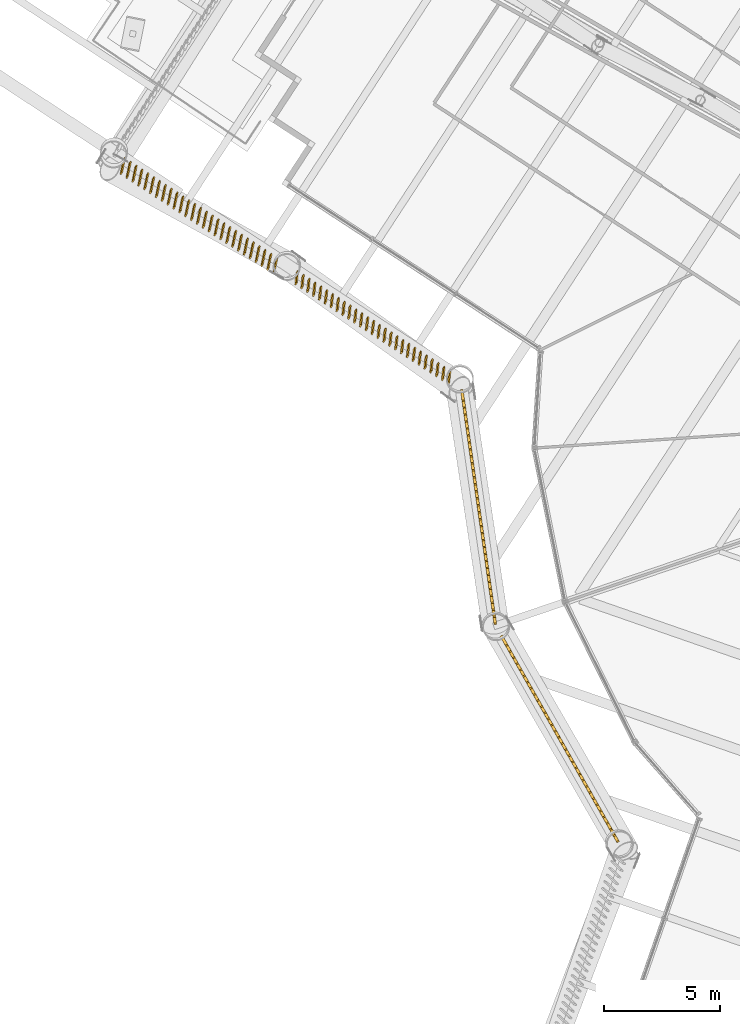
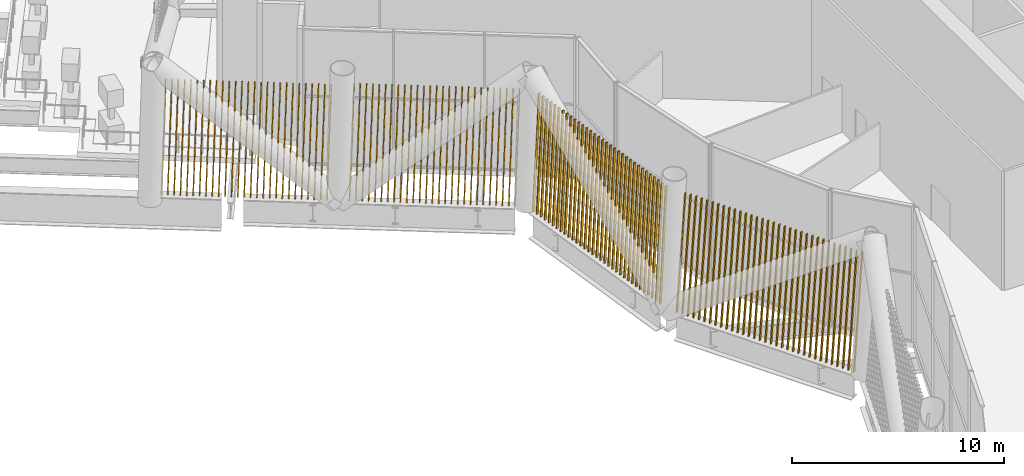
# One storey, part 56 of 63: 4 shading devices.
"""IFC4 building model written with IfcOpenShell, lengths in metres."""

import ifcopenshell
import ifcopenshell.guid

model = None  # the IFC model being written
_history = None  # IfcOwnerHistory: only IFC2X3 demands one
_inside = {}  # id of a spatial element -> (the spatial element, [elements in it])
_under = {}  # id of a project, library or spatial element -> (it, [spatial elements below it])
_declared = {}  # id of a project -> (the project, [libraries it declares])
_typed = {}  # id of a type object -> (the type object, [elements of that type])
_made_of = {}  # id of a material, layer set ... -> (it, [elements and type objects made of it])


def new_model(schema):
    """Start an empty IFC model of exactly this schema.

    Asked for "IFC4X3", IfcOpenShell would pick the latest addendum, in which some entities
    have other attributes; the version numbers below select the first issue.
    IFC2X3 requires an IfcOwnerHistory on every rooted entity: one is made here for all.
    """
    global model, _history
    if schema == "IFC4X3":
        model = ifcopenshell.file(schema_version=(4, 3, 0, 0))
    else:
        model = ifcopenshell.file(schema=schema)
    _inside.clear()
    _under.clear()
    _declared.clear()
    _typed.clear()
    _made_of.clear()
    _history = None
    if model.schema == "IFC2X3":
        org = make("IfcOrganization", Name="unknown")
        user = make(
            "IfcPersonAndOrganization",
            ThePerson=make("IfcPerson", FamilyName="unknown"),
            TheOrganization=org,
        )
        app = make(
            "IfcApplication",
            ApplicationDeveloper=org,
            Version="unknown",
            ApplicationFullName="unknown",
            ApplicationIdentifier="unknown",
        )
        _history = make(
            "IfcOwnerHistory",
            OwningUser=user,
            OwningApplication=app,
            ChangeAction="ADDED",
            CreationDate=0,
        )
    return model


def make(cls, **values):
    """One entity of the class cls with the attributes given. An attribute that is None is left unset."""
    return model.create_entity(
        cls, **{name: value for name, value in values.items() if value is not None}
    )


def rooted(cls, **values):
    """An entity with a GlobalId (a new one), such as an element, a storey or a relation."""
    return make(cls, GlobalId=ifcopenshell.guid.new(), OwnerHistory=_history, **values)


def si_unit(unit_type, name, prefix=None):
    """IfcSIUnit, for example si_unit("LENGTHUNIT", "METRE", prefix="MILLI")."""
    return make("IfcSIUnit", UnitType=unit_type, Prefix=prefix, Name=name)


def assignment(units):
    """IfcUnitAssignment: the units of a project."""
    return None if units is None else make("IfcUnitAssignment", Units=units)


def point(xyz):
    """IfcCartesianPoint."""
    return None if xyz is None else make("IfcCartesianPoint", Coordinates=xyz)


def direction(xyz):
    """IfcDirection."""
    return None if xyz is None else make("IfcDirection", DirectionRatios=xyz)


def frame(location, z_axis=None, x_axis=None):
    """IfcAxis2Placement3D, a coordinate frame: its origin and axes. An axis left out is left unset."""
    return make(
        "IfcAxis2Placement3D",
        Location=point(location),
        Axis=direction(z_axis),
        RefDirection=direction(x_axis),
    )


def frame_2d(location, x_axis=None):
    """IfcAxis2Placement2D, a coordinate frame in the plane: its origin and x axis."""
    return make(
        "IfcAxis2Placement2D", Location=point(location), RefDirection=direction(x_axis)
    )


def origin():
    """The frame at (0, 0, 0) with its axes left unset."""
    return frame((0.0, 0.0, 0.0))


def place(relative_to, where):
    """IfcLocalPlacement: puts the frame where relative to a parent placement (None: the world)."""
    return make(
        "IfcLocalPlacement", PlacementRelTo=relative_to, RelativePlacement=where
    )


def context(
    kind, dimensions, precision=None, world=None, true_north=None, identifier=None
):
    """IfcGeometricRepresentationContext, for example the 3D "Model" context."""
    return make(
        "IfcGeometricRepresentationContext",
        ContextIdentifier=identifier,
        ContextType=kind,
        CoordinateSpaceDimension=dimensions,
        Precision=precision,
        WorldCoordinateSystem=world,
        TrueNorth=true_north,
    )


def subcontext(parent, identifier, kind, view, scale=None):
    """IfcGeometricRepresentationSubContext, for example "Body" below "Model"."""
    return make(
        "IfcGeometricRepresentationSubContext",
        ContextIdentifier=identifier,
        ContextType=kind,
        ParentContext=parent,
        TargetScale=scale,
        TargetView=view,
    )


def project(units=None, contexts=None):
    """IfcProject with its units and contexts."""
    return rooted(
        "IfcProject",
        Name="project",
        RepresentationContexts=contexts,
        UnitsInContext=assignment(units),
    )


def spatial(cls, under=None, at=None, **own):
    """A site, building, storey or space (cls), placed at a placement, below another one or the project."""
    s = rooted(cls, ObjectPlacement=at, **own)
    if under is not None:
        _under.setdefault(under.id(), (under, []))[1].append(s)
    return s


def profile(cls, at=None, kind="AREA", **sizes):
    """A parametric profile (cls). Its sizes go by their IFC names, for example OverallWidth=200.0."""
    return make(cls, ProfileType=kind, Position=at, **sizes)


def rectangle(**sizes):
    """IfcRectangleProfileDef."""
    return profile("IfcRectangleProfileDef", **sizes)


def composite_profile(profiles, kind="AREA"):
    """IfcCompositeProfileDef: several profiles as one."""
    return make("IfcCompositeProfileDef", ProfileType=kind, Profiles=profiles)


def extrude(swept, where, along, depth):
    """IfcExtrudedAreaSolid: the profile swept, set in the frame where, extruded along a direction by depth."""
    return make(
        "IfcExtrudedAreaSolid",
        SweptArea=swept,
        Position=where,
        ExtrudedDirection=direction(along),
        Depth=depth,
    )


def shape(context_of_items, identifier, shape_type, items):
    """IfcShapeRepresentation: the items that make up one representation, for example the "Body"."""
    return make(
        "IfcShapeRepresentation",
        ContextOfItems=context_of_items,
        RepresentationIdentifier=identifier,
        RepresentationType=shape_type,
        Items=items,
    )


def material(Name=None, Category=None):
    """IfcMaterial."""
    return make("IfcMaterial", Name=Name, Category=Category)


def made_of(thing, what):
    """Note that an element or type object is made of a material, layer set ...; save() writes the relation."""
    if what is not None:
        _made_of.setdefault(what.id(), (what, []))[1].append(thing)
    return thing


def type_object(cls, material=None, **own):
    """A type object (cls), such as IfcWallType, which elements share."""
    return made_of(rooted(cls, **own), material)


def element(
    cls,
    number,
    at=None,
    inside=None,
    cuts=None,
    type_object=None,
    material=None,
    context=None,
    identifier="Body",
    shape_type=None,
    held_by="IfcProductDefinitionShape",
    body=None,
    shapes=None,
    **own,
):
    """One element of the class cls, such as IfcWall. Its Tag is "e" and its number.

    at: its placement. inside: the storey or other place that contains it. cuts: it is an
    opening in that element (IfcRelVoidsElement). A single representation is given by context,
    identifier, shape_type and body (its items); several are given by shapes. held_by: the class
    of the entity that holds the representations. save() writes the other relations.
    """
    e = rooted(cls, Tag="e%d" % number, ObjectPlacement=at, **own)
    if body is not None:
        shapes = [shape(context, identifier, shape_type, body)]
    if shapes is not None:
        e.Representation = make(held_by, Representations=shapes)
    if inside is not None:
        _inside.setdefault(inside.id(), (inside, []))[1].append(e)
    if cuts is not None:
        rooted(
            "IfcRelVoidsElement", RelatingBuildingElement=cuts, RelatedOpeningElement=e
        )
    if type_object is not None:
        _typed.setdefault(type_object.id(), (type_object, []))[1].append(e)
    return made_of(e, material)


def aggregate(whole, parts):
    """IfcRelAggregates: a whole, such as a stair, and the parts it consists of."""
    return rooted("IfcRelAggregates", RelatingObject=whole, RelatedObjects=parts)


def save(model, path):
    """Write the relations noted so far, then the file.

    IfcRelAggregates (storeys below a building ...), IfcRelContainedInSpatialStructure (elements
    in a storey), IfcRelDefinesByType, IfcRelAssociatesMaterial and IfcRelDeclares: one each for
    every whole, place, type object, material and project.
    """
    for whole, parts in _under.values():
        aggregate(whole, parts)
    for where, things in _inside.values():
        rooted(
            "IfcRelContainedInSpatialStructure",
            RelatedElements=things,
            RelatingStructure=where,
        )
    for kind, things in _typed.values():
        rooted("IfcRelDefinesByType", RelatedObjects=things, RelatingType=kind)
    for what, things in _made_of.values():
        rooted("IfcRelAssociatesMaterial", RelatedObjects=things, RelatingMaterial=what)
    for by, libraries in _declared.values():
        rooted("IfcRelDeclares", RelatingContext=by, RelatedDefinitions=libraries)
    model.write(path)


model = new_model("IFC4")

# Units and contexts
model_context = context("Model", 3, precision=1e-05, world=origin(), true_north=direction((0.0, 1.0)))
body_context = subcontext(model_context, "Body", "Model", "MODEL_VIEW")
ifc_project = project(units=[si_unit("LENGTHUNIT", "METRE"), si_unit("AREAUNIT", "SQUARE_METRE"), si_unit("VOLUMEUNIT", "CUBIC_METRE"), si_unit("PLANEANGLEUNIT", "RADIAN"), si_unit("MASSUNIT", "GRAM", prefix="KILO")], contexts=[model_context])

# Site, building, storey
site_placement = place(None, origin())
site = spatial("IfcSite", under=ifc_project, at=site_placement, CompositionType="ELEMENT")
building_placement = place(site_placement, origin())
building = spatial("IfcBuilding", under=site, at=building_placement, Name="Tarsis Ring Headquarters", CompositionType="ELEMENT")
storey_placement = place(building_placement, frame((0.0, 0.0, 139.60009765625)))
storey = spatial("IfcBuildingStorey", under=building, at=storey_placement, Name="L32", CompositionType="ELEMENT", Elevation=139.60009765625)

# Shading devices
ifc_material = material(Name="Terracotta baguette", Category="masonry")
shading_device_type = type_object("IfcShadingDeviceType", Name="Terracotta baguette screen", PredefinedType="USERDEFINED", material=ifc_material)
shading_device_1_placement = place(storey_placement, frame((-27.245849609375, -9.815673828125, 0.0), z_axis=(0.0, 0.0, 1.0), x_axis=(0.492816989382, -0.87013116802, 0.0)))
element("IfcShadingDevice", 1, at=shading_device_1_placement, inside=storey, type_object=shading_device_type, Name="Baguette screen L32-00", ObjectType="Terracotta baguette screen", PredefinedType="USERDEFINED", context=body_context, shape_type="SweptSolid", body=[
    extrude(composite_profile([rectangle(XDim=0.06005859375, YDim=0.1201171875, at=frame_2d((0.030029296875, 0.0))), rectangle(XDim=0.06005859375, YDim=0.1201171875, at=frame_2d((0.33349609375, 0.0))), rectangle(XDim=0.06005859375, YDim=0.1201171875, at=frame_2d((0.636962890625, 0.0))), rectangle(XDim=0.06005859375, YDim=0.1201171875, at=frame_2d((0.9404296875, 0.0))), rectangle(XDim=0.06005859375, YDim=0.1201171875, at=frame_2d((1.243896484375, 0.0))), rectangle(XDim=0.06005859375, YDim=0.1201171875, at=frame_2d((1.54736328125, 0.0))), rectangle(XDim=0.06005859375, YDim=0.1201171875, at=frame_2d((1.85107421875, 0.0))), rectangle(XDim=0.06005859375, YDim=0.1201171875, at=frame_2d((2.154541015625, 0.0))), rectangle(XDim=0.06005859375, YDim=0.1201171875, at=frame_2d((2.4580078125, 0.0))), rectangle(XDim=0.06005859375, YDim=0.1201171875, at=frame_2d((2.761474609375, 0.0))), rectangle(XDim=0.06005859375, YDim=0.1201171875, at=frame_2d((3.06494140625, 0.0))), rectangle(XDim=0.06005859375, YDim=0.1201171875, at=frame_2d((3.368408203125, 0.0))), rectangle(XDim=0.06005859375, YDim=0.1201171875, at=frame_2d((3.671875, 0.0))), rectangle(XDim=0.06005859375, YDim=0.1201171875, at=frame_2d((3.975341796875, 0.0))), rectangle(XDim=0.06005859375, YDim=0.1201171875, at=frame_2d((4.27880859375, 0.0))), rectangle(XDim=0.06005859375, YDim=0.1201171875, at=frame_2d((4.582275390625, 0.0))), rectangle(XDim=0.06005859375, YDim=0.1201171875, at=frame_2d((4.8857421875, 0.0))), rectangle(XDim=0.06005859375, YDim=0.1201171875, at=frame_2d((5.189453125, 0.0))), rectangle(XDim=0.06005859375, YDim=0.1201171875, at=frame_2d((5.492919921875, 0.0))), rectangle(XDim=0.06005859375, YDim=0.1201171875, at=frame_2d((5.79638671875, 0.0))), rectangle(XDim=0.06005859375, YDim=0.1201171875, at=frame_2d((6.099853515625, 0.0))), rectangle(XDim=0.06005859375, YDim=0.1201171875, at=frame_2d((6.4033203125, 0.0))), rectangle(XDim=0.06005859375, YDim=0.1201171875, at=frame_2d((6.706787109375, 0.0))), rectangle(XDim=0.06005859375, YDim=0.1201171875, at=frame_2d((7.01025390625, 0.0))), rectangle(XDim=0.06005859375, YDim=0.1201171875, at=frame_2d((7.313720703125, 0.0))), rectangle(XDim=0.06005859375, YDim=0.1201171875, at=frame_2d((7.6171875, 0.0))), rectangle(XDim=0.06005859375, YDim=0.1201171875, at=frame_2d((7.920654296875, 0.0))), rectangle(XDim=0.06005859375, YDim=0.1201171875, at=frame_2d((8.224365234375, 0.0))), rectangle(XDim=0.06005859375, YDim=0.1201171875, at=frame_2d((8.52783203125, 0.0))), rectangle(XDim=0.06005859375, YDim=0.1201171875, at=frame_2d((8.831298828125, 0.0))), rectangle(XDim=0.06005859375, YDim=0.1201171875, at=frame_2d((9.134765625, 0.0))), rectangle(XDim=0.06005859375, YDim=0.1201171875, at=frame_2d((9.438232421875, 0.0))), rectangle(XDim=0.06005859375, YDim=0.1201171875, at=frame_2d((9.74169921875, 0.0)))]), origin(), (0.063471077001, 0.000497423532, 0.997983554451), 7.06396484375),
])
shading_device_2_placement = place(storey_placement, frame((-43.506591796875, 10.74755859375, 0.0), z_axis=(0.0, 0.0, 1.0), x_axis=(0.837123084528, -0.546990855166, 0.0)))
element("IfcShadingDevice", 2, at=shading_device_2_placement, inside=storey, type_object=shading_device_type, Name="Baguette screen L32-19", ObjectType="Terracotta baguette screen", PredefinedType="USERDEFINED", context=body_context, shape_type="SweptSolid", body=[
    extrude(composite_profile([rectangle(XDim=0.06005859375, YDim=0.1201171875, at=frame_2d((0.030029296875, 0.0))), rectangle(XDim=0.06005859375, YDim=0.1201171875, at=frame_2d((0.33154296875, 0.0))), rectangle(XDim=0.06005859375, YDim=0.1201171875, at=frame_2d((0.63330078125, 0.0))), rectangle(XDim=0.06005859375, YDim=0.1201171875, at=frame_2d((0.934814453125, 0.0))), rectangle(XDim=0.06005859375, YDim=0.1201171875, at=frame_2d((1.236572265625, 0.0))), rectangle(XDim=0.06005859375, YDim=0.1201171875, at=frame_2d((1.5380859375, 0.0))), rectangle(XDim=0.06005859375, YDim=0.1201171875, at=frame_2d((1.83984375, 0.0))), rectangle(XDim=0.06005859375, YDim=0.1201171875, at=frame_2d((2.141357421875, 0.0))), rectangle(XDim=0.06005859375, YDim=0.1201171875, at=frame_2d((2.443115234375, 0.0))), rectangle(XDim=0.06005859375, YDim=0.1201171875, at=frame_2d((2.74462890625, 0.0))), rectangle(XDim=0.06005859375, YDim=0.1201171875, at=frame_2d((3.04638671875, 0.0))), rectangle(XDim=0.06005859375, YDim=0.1201171875, at=frame_2d((3.347900390625, 0.0))), rectangle(XDim=0.06005859375, YDim=0.1201171875, at=frame_2d((3.649658203125, 0.0))), rectangle(XDim=0.06005859375, YDim=0.1201171875, at=frame_2d((3.951171875, 0.0))), rectangle(XDim=0.06005859375, YDim=0.1201171875, at=frame_2d((4.252685546875, 0.0))), rectangle(XDim=0.06005859375, YDim=0.1201171875, at=frame_2d((4.554443359375, 0.0))), rectangle(XDim=0.06005859375, YDim=0.1201171875, at=frame_2d((4.85595703125, 0.0))), rectangle(XDim=0.06005859375, YDim=0.1201171875, at=frame_2d((5.15771484375, 0.0))), rectangle(XDim=0.06005859375, YDim=0.1201171875, at=frame_2d((5.459228515625, 0.0))), rectangle(XDim=0.06005859375, YDim=0.1201171875, at=frame_2d((5.760986328125, 0.0))), rectangle(XDim=0.06005859375, YDim=0.1201171875, at=frame_2d((6.0625, 0.0))), rectangle(XDim=0.06005859375, YDim=0.1201171875, at=frame_2d((6.3642578125, 0.0))), rectangle(XDim=0.06005859375, YDim=0.1201171875, at=frame_2d((6.665771484375, 0.0))), rectangle(XDim=0.06005859375, YDim=0.1201171875, at=frame_2d((6.967529296875, 0.0))), rectangle(XDim=0.06005859375, YDim=0.1201171875, at=frame_2d((7.26904296875, 0.0))), rectangle(XDim=0.06005859375, YDim=0.1201171875, at=frame_2d((7.57080078125, 0.0))), rectangle(XDim=0.06005859375, YDim=0.1201171875, at=frame_2d((7.872314453125, 0.0)))]), origin(), (0.03350744428, -0.084827293165, 0.995832105082), 7.079345703125),
])
shading_device_3_placement = place(storey_placement, frame((-36.05419921875, 5.878173828125, 0.0), z_axis=(0.0, 0.0, 1.0), x_axis=(0.837153979239, -0.546990855166, 0.0)))
element("IfcShadingDevice", 3, at=shading_device_3_placement, inside=storey, type_object=shading_device_type, Name="Baguette screen L32-20", ObjectType="Terracotta baguette screen", PredefinedType="USERDEFINED", context=body_context, shape_type="SweptSolid", body=[
    extrude(composite_profile([rectangle(XDim=0.06005859375, YDim=0.1201171875, at=frame_2d((0.030029296875, 0.0))), rectangle(XDim=0.06005859375, YDim=0.1201171875, at=frame_2d((0.33154296875, 0.0))), rectangle(XDim=0.06005859375, YDim=0.1201171875, at=frame_2d((0.63330078125, 0.0))), rectangle(XDim=0.06005859375, YDim=0.1201171875, at=frame_2d((0.934814453125, 0.0))), rectangle(XDim=0.06005859375, YDim=0.1201171875, at=frame_2d((1.236572265625, 0.0))), rectangle(XDim=0.06005859375, YDim=0.1201171875, at=frame_2d((1.5380859375, 0.0))), rectangle(XDim=0.06005859375, YDim=0.1201171875, at=frame_2d((1.83984375, 0.0))), rectangle(XDim=0.06005859375, YDim=0.1201171875, at=frame_2d((2.141357421875, 0.0))), rectangle(XDim=0.06005859375, YDim=0.1201171875, at=frame_2d((2.443115234375, 0.0))), rectangle(XDim=0.06005859375, YDim=0.1201171875, at=frame_2d((2.74462890625, 0.0))), rectangle(XDim=0.06005859375, YDim=0.1201171875, at=frame_2d((3.04638671875, 0.0))), rectangle(XDim=0.06005859375, YDim=0.1201171875, at=frame_2d((3.347900390625, 0.0))), rectangle(XDim=0.06005859375, YDim=0.1201171875, at=frame_2d((3.649658203125, 0.0))), rectangle(XDim=0.06005859375, YDim=0.1201171875, at=frame_2d((3.951171875, 0.0))), rectangle(XDim=0.06005859375, YDim=0.1201171875, at=frame_2d((4.252685546875, 0.0))), rectangle(XDim=0.06005859375, YDim=0.1201171875, at=frame_2d((4.554443359375, 0.0))), rectangle(XDim=0.06005859375, YDim=0.1201171875, at=frame_2d((4.85595703125, 0.0))), rectangle(XDim=0.06005859375, YDim=0.1201171875, at=frame_2d((5.15771484375, 0.0))), rectangle(XDim=0.06005859375, YDim=0.1201171875, at=frame_2d((5.459228515625, 0.0))), rectangle(XDim=0.06005859375, YDim=0.1201171875, at=frame_2d((5.760986328125, 0.0))), rectangle(XDim=0.06005859375, YDim=0.1201171875, at=frame_2d((6.0625, 0.0))), rectangle(XDim=0.06005859375, YDim=0.1201171875, at=frame_2d((6.3642578125, 0.0))), rectangle(XDim=0.06005859375, YDim=0.1201171875, at=frame_2d((6.665771484375, 0.0))), rectangle(XDim=0.06005859375, YDim=0.1201171875, at=frame_2d((6.967529296875, 0.0))), rectangle(XDim=0.06005859375, YDim=0.1201171875, at=frame_2d((7.26904296875, 0.0))), rectangle(XDim=0.06005859375, YDim=0.1201171875, at=frame_2d((7.57080078125, 0.0))), rectangle(XDim=0.06005859375, YDim=0.1201171875, at=frame_2d((7.872314453125, 0.0)))]), origin(), (0.033401191929, -0.065174803328, 0.997314697269), 7.06884765625),
])
shading_device_4_placement = place(storey_placement, frame((-28.94921875, 0.787353515625, 0.0), z_axis=(0.0, 0.0, 1.0), x_axis=(0.14183635228, -0.989881324172, 0.0)))
element("IfcShadingDevice", 4, at=shading_device_4_placement, inside=storey, type_object=shading_device_type, Name="Baguette screen L32-21", ObjectType="Terracotta baguette screen", PredefinedType="USERDEFINED", context=body_context, shape_type="SweptSolid", body=[
    extrude(composite_profile([rectangle(XDim=0.06005859375, YDim=0.1201171875, at=frame_2d((0.030029296875, 0.0))), rectangle(XDim=0.06005859375, YDim=0.1201171875, at=frame_2d((0.33349609375, 0.0))), rectangle(XDim=0.06005859375, YDim=0.1201171875, at=frame_2d((0.636962890625, 0.0))), rectangle(XDim=0.06005859375, YDim=0.1201171875, at=frame_2d((0.9404296875, 0.0))), rectangle(XDim=0.06005859375, YDim=0.1201171875, at=frame_2d((1.243896484375, 0.0))), rectangle(XDim=0.06005859375, YDim=0.1201171875, at=frame_2d((1.54736328125, 0.0))), rectangle(XDim=0.06005859375, YDim=0.1201171875, at=frame_2d((1.85107421875, 0.0))), rectangle(XDim=0.06005859375, YDim=0.1201171875, at=frame_2d((2.154541015625, 0.0))), rectangle(XDim=0.06005859375, YDim=0.1201171875, at=frame_2d((2.4580078125, 0.0))), rectangle(XDim=0.06005859375, YDim=0.1201171875, at=frame_2d((2.761474609375, 0.0))), rectangle(XDim=0.06005859375, YDim=0.1201171875, at=frame_2d((3.06494140625, 0.0))), rectangle(XDim=0.06005859375, YDim=0.1201171875, at=frame_2d((3.368408203125, 0.0))), rectangle(XDim=0.06005859375, YDim=0.1201171875, at=frame_2d((3.671875, 0.0))), rectangle(XDim=0.06005859375, YDim=0.1201171875, at=frame_2d((3.975341796875, 0.0))), rectangle(XDim=0.06005859375, YDim=0.1201171875, at=frame_2d((4.27880859375, 0.0))), rectangle(XDim=0.06005859375, YDim=0.1201171875, at=frame_2d((4.582275390625, 0.0))), rectangle(XDim=0.06005859375, YDim=0.1201171875, at=frame_2d((4.8857421875, 0.0))), rectangle(XDim=0.06005859375, YDim=0.1201171875, at=frame_2d((5.189453125, 0.0))), rectangle(XDim=0.06005859375, YDim=0.1201171875, at=frame_2d((5.492919921875, 0.0))), rectangle(XDim=0.06005859375, YDim=0.1201171875, at=frame_2d((5.79638671875, 0.0))), rectangle(XDim=0.06005859375, YDim=0.1201171875, at=frame_2d((6.099853515625, 0.0))), rectangle(XDim=0.06005859375, YDim=0.1201171875, at=frame_2d((6.4033203125, 0.0))), rectangle(XDim=0.06005859375, YDim=0.1201171875, at=frame_2d((6.706787109375, 0.0))), rectangle(XDim=0.06005859375, YDim=0.1201171875, at=frame_2d((7.01025390625, 0.0))), rectangle(XDim=0.06005859375, YDim=0.1201171875, at=frame_2d((7.313720703125, 0.0))), rectangle(XDim=0.06005859375, YDim=0.1201171875, at=frame_2d((7.6171875, 0.0))), rectangle(XDim=0.06005859375, YDim=0.1201171875, at=frame_2d((7.920654296875, 0.0))), rectangle(XDim=0.06005859375, YDim=0.1201171875, at=frame_2d((8.224365234375, 0.0))), rectangle(XDim=0.06005859375, YDim=0.1201171875, at=frame_2d((8.52783203125, 0.0))), rectangle(XDim=0.06005859375, YDim=0.1201171875, at=frame_2d((8.831298828125, 0.0))), rectangle(XDim=0.06005859375, YDim=0.1201171875, at=frame_2d((9.134765625, 0.0))), rectangle(XDim=0.06005859375, YDim=0.1201171875, at=frame_2d((9.438232421875, 0.0))), rectangle(XDim=0.06005859375, YDim=0.1201171875, at=frame_2d((9.74169921875, 0.0)))]), origin(), (0.063470607082, 0.000499410248, 0.997983583345), 7.06396484375),
])

save(model, "model.ifc")
